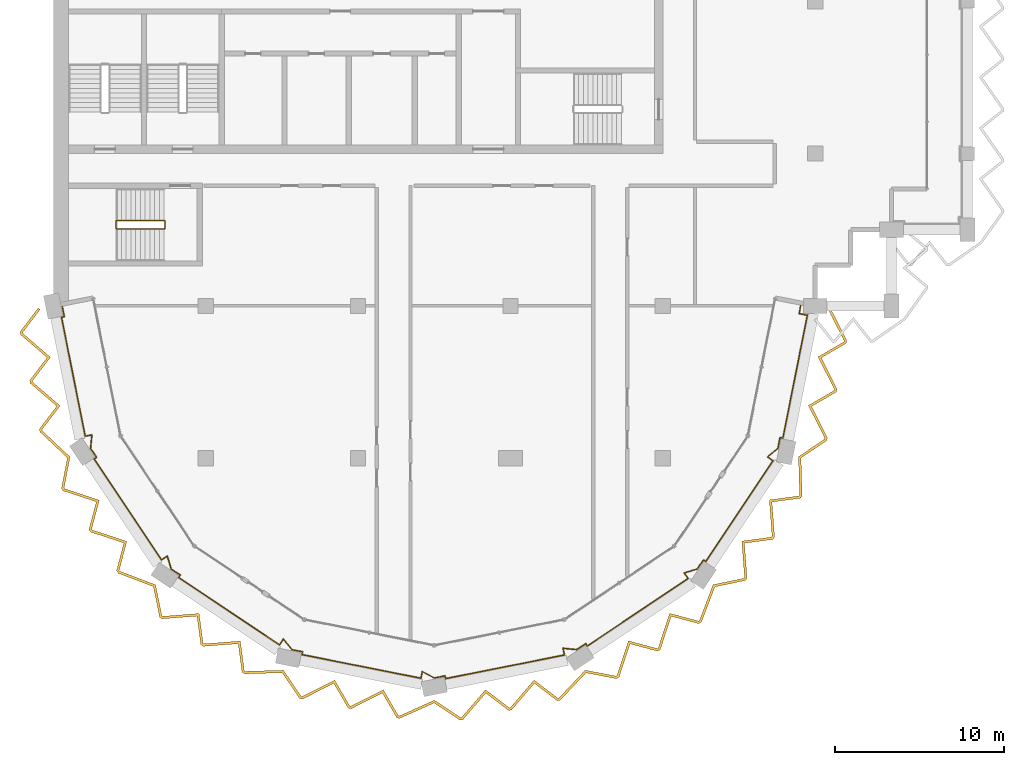
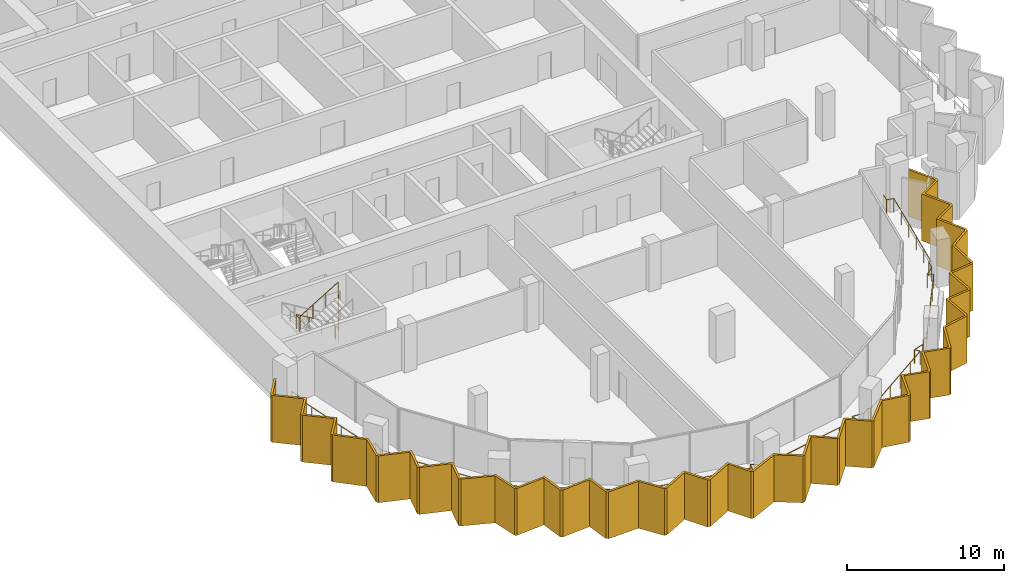
# One storey, part 12 of 14: 2 railings, 1 shading device.
"""IFC4 building model written with IfcOpenShell, lengths in metres."""

from ifc_helpers import new_model, si_unit, direction, frame, origin, origin_2d, place, context, subcontext, project, spatial, polyline, circle, outline, extrude, material, layer, layer_set, type_object, element, save


model = new_model("IFC4")

# Units and contexts
model_context = context("Model", 3, precision=1e-05, world=origin(), true_north=direction((0.0, 1.0)))
body_context = subcontext(model_context, "Body", "Model", "MODEL_VIEW")
ifc_project = project(units=[si_unit("LENGTHUNIT", "METRE"), si_unit("AREAUNIT", "SQUARE_METRE"), si_unit("VOLUMEUNIT", "CUBIC_METRE"), si_unit("PLANEANGLEUNIT", "RADIAN"), si_unit("MASSUNIT", "GRAM", prefix="KILO")], contexts=[model_context])

# Site, building, storey
site_placement = place(None, origin())
site = spatial("IfcSite", under=ifc_project, at=site_placement, CompositionType="ELEMENT")
building_placement = place(site_placement, origin())
building = spatial("IfcBuilding", under=site, at=building_placement, Name="Hunhe Ridgeline Campus", CompositionType="ELEMENT")
storey_placement = place(building_placement, frame((0.0, 0.0, 295.60009765625)))
storey = spatial("IfcBuildingStorey", under=building, at=storey_placement, Name="L76", CompositionType="ELEMENT", Elevation=295.60009765625)

# Railing
ifc_material_1 = material(Name="Steel Q355", Category="steel")
railing_type_1 = type_object("IfcRailingType", Name="Loggia guard 1100 Steel Q355", PredefinedType="GUARDRAIL", material=ifc_material_1)
railing_1_placement = place(storey_placement, frame((0.510009765625, 54.1015625, 0.0)))
element("IfcRailing", 1, at=railing_1_placement, inside=storey, type_object=railing_type_1, Name="Loggia guard 1", PredefinedType="GUARDRAIL", context=body_context, shape_type="SweptSolid", body=[
    extrude(circle(Radius=0.02392578125, at=origin_2d()), frame((0.0, 0.0, 1.076171875), z_axis=(0.194989189992, -0.980805391393, 0.0), x_axis=(0.980805391393, 0.194989189992, 0.0)), (0.0, 0.0, 1.0), 0.75),
    extrude(circle(Radius=0.02392578125, at=origin_2d()), frame((0.146240234375, -0.735595703125, 1.076171875), z_axis=(-0.980746010965, -0.195287639079, 0.0), x_axis=(0.195287639079, -0.980746010965, 0.0)), (0.0, 0.0, 1.0), 0.169921875),
    extrude(circle(Radius=0.02392578125, at=origin_2d()), frame((-0.0205078125, -0.768798828125, 1.076171875), z_axis=(0.195099694312, -0.980783416091, 0.0), x_axis=(0.980783416091, 0.195099694312, 0.0)), (0.0, 0.0, 1.0), 7.160400390625),
    extrude(circle(Radius=0.02392578125, at=origin_2d()), frame((1.37646484375, -7.79150390625, 1.076171875), z_axis=(0.980720044729, 0.195417997808, 0.0), x_axis=(-0.195417997808, 0.980720044729, 0.0)), (0.0, 0.0, 1.0), 0.403564453125),
    extrude(circle(Radius=0.02392578125, at=origin_2d()), frame((1.772216796875, -7.712646484375, 1.076171875), z_axis=(-0.09944331471, -0.995043228789, 0.0), x_axis=(0.995043228789, -0.09944331471, 0.0)), (0.0, 0.0, 1.0), 0.80029296875),
    extrude(circle(Radius=0.02392578125, at=origin_2d()), frame((1.692626953125, -8.509033203125, 1.076171875), z_axis=(0.555484244868, -0.831527061318, 0.0), x_axis=(0.831527061318, 0.555484244868, 0.0)), (0.0, 0.0, 1.0), 0.646484375),
    extrude(circle(Radius=0.02392578125, at=origin_2d()), frame((2.0517578125, -9.046630859375, 1.076171875), z_axis=(-0.831386976724, -0.555693885997, 0.0), x_axis=(0.555693885997, -0.831386976724, 0.0)), (0.0, 0.0, 1.0), 0.169921875),
    extrude(circle(Radius=0.02392578125, at=origin_2d()), frame((1.910400390625, -9.14111328125, 1.076171875), z_axis=(0.555581168767, -0.831462305166, 0.0), x_axis=(0.831462305166, 0.555581168767, 0.0)), (0.0, 0.0, 1.0), 7.16015625),
    extrude(circle(Radius=0.02392578125, at=origin_2d()), frame((5.888427734375, -15.094482421875, 1.076171875), z_axis=(0.831491262241, 0.555537830231, 0.0), x_axis=(-0.555537830231, 0.831491262241, 0.0)), (0.0, 0.0, 1.0), 0.4033203125),
    extrude(circle(Radius=0.02392578125, at=origin_2d()), frame((6.223876953125, -14.870361328125, 1.076171875), z_axis=(0.288914906809, -0.957354780958, 0.0), x_axis=(0.957354780958, 0.288914906809, 0.0)), (0.0, 0.0, 1.0), 0.80029296875),
    extrude(circle(Radius=0.02392578125, at=origin_2d()), frame((6.455078125, -15.636474609375, 1.076171875), z_axis=(0.831352632543, -0.555745265714, 0.0), x_axis=(0.555745265714, 0.831352632543, 0.0)), (0.0, 0.0, 1.0), 0.646728515625),
    extrude(circle(Radius=0.02392578125, at=origin_2d()), frame((6.99267578125, -15.995849609375, 1.076171875), z_axis=(-0.555693885997, -0.831386976724, 0.0), x_axis=(0.831386976724, -0.555693885997, 0.0)), (0.0, 0.0, 1.0), 0.169921875),
    extrude(circle(Radius=0.02392578125, at=origin_2d()), frame((6.898193359375, -16.13720703125, 1.076171875), z_axis=(0.831478056194, -0.555557595635, 0.0), x_axis=(0.555557595635, 0.831478056194, 0.0)), (0.0, 0.0, 1.0), 7.159912109375),
    extrude(circle(Radius=0.02392578125, at=origin_2d()), frame((12.8515625, -20.114990234375, 1.076171875), z_axis=(0.555956014138, 0.831211712107, 0.0), x_axis=(-0.831211712107, 0.555956014138, 0.0)), (0.0, 0.0, 1.0), 0.403564453125),
    extrude(circle(Radius=0.02392578125, at=origin_2d()), frame((13.075927734375, -19.779541015625, 1.076171875), z_axis=(0.633104861372, -0.774066040146, 0.0), x_axis=(0.774066040146, 0.633104861372, 0.0)), (0.0, 0.0, 1.0), 0.800048828125),
    extrude(circle(Radius=0.02392578125, at=origin_2d()), frame((13.58251953125, -20.39892578125, 1.076171875), z_axis=(0.980754587978, -0.195244559871, 0.0), x_axis=(0.195244559871, 0.980754587978, 0.0)), (0.0, 0.0, 1.0), 0.646484375),
    extrude(circle(Radius=0.02392578125, at=origin_2d()), frame((14.216552734375, -20.525146484375, 1.076171875), z_axis=(-0.193905883508, -0.981020136562, 0.0), x_axis=(0.981020136562, -0.193905883508, 0.0)), (0.0, 0.0, 1.0), 0.169921875),
    extrude(circle(Radius=0.02392578125, at=origin_2d()), frame((14.18359375, -20.69189453125, 1.076171875), z_axis=(0.980782118184, -0.195106218893, 0.0), x_axis=(0.195106218893, 0.980782118184, 0.0)), (0.0, 0.0, 1.0), 7.16015625),
    extrude(circle(Radius=0.02392578125, at=origin_2d()), frame((21.2060546875, -22.0888671875, 1.076171875), z_axis=(0.194720424654, 0.980858785057, 0.0), x_axis=(-0.980858785057, 0.194720424654, 0.0)), (0.0, 0.0, 1.0), 0.40380859375),
    extrude(circle(Radius=0.02392578125, at=origin_2d()), frame((21.28466796875, -21.69287109375, 1.076171875), z_axis=(0.881185062436, -0.472771494211, 0.0), x_axis=(0.472771494211, 0.881185062436, 0.0)), (0.0, 0.0, 1.0), 0.800537109375),
    extrude(circle(Radius=0.02392578125, at=origin_2d()), frame((21.989990234375, -22.0712890625, 1.076171875), z_axis=(0.980826840908, 0.194881266811, 0.0), x_axis=(-0.194881266811, 0.980826840908, 0.0)), (0.0, 0.0, 1.0), 0.646484375),
    extrude(circle(Radius=0.02392578125, at=origin_2d()), frame((22.6240234375, -21.9453125, 1.076171875), z_axis=(0.195287639079, -0.980746010965, 0.0), x_axis=(0.980746010965, 0.195287639079, 0.0)), (0.0, 0.0, 1.0), 0.169921875),
    extrude(circle(Radius=0.02392578125, at=origin_2d()), frame((22.6572265625, -22.112060546875, 1.076171875), z_axis=(0.980783416091, 0.195099694312, 0.0), x_axis=(-0.195099694312, 0.980783416091, 0.0)), (0.0, 0.0, 1.0), 7.160400390625),
    extrude(circle(Radius=0.02392578125, at=origin_2d()), frame((29.679931640625, -20.715087890625, 1.076171875), z_axis=(-0.195417997808, 0.980720044729, 0.0), x_axis=(-0.980720044729, -0.195417997808, 0.0)), (0.0, 0.0, 1.0), 0.403564453125),
    extrude(circle(Radius=0.02392578125, at=origin_2d()), frame((29.60107421875, -20.3193359375, 1.076171875), z_axis=(0.995043228789, -0.09944331471, 0.0), x_axis=(0.09944331471, 0.995043228789, 0.0)), (0.0, 0.0, 1.0), 0.80029296875),
    extrude(circle(Radius=0.02392578125, at=origin_2d()), frame((30.3974609375, -20.39892578125, 1.076171875), z_axis=(0.831527061318, 0.555484244868, 0.0), x_axis=(-0.555484244868, 0.831527061318, 0.0)), (0.0, 0.0, 1.0), 0.646484375),
    extrude(circle(Radius=0.02392578125, at=origin_2d()), frame((30.93505859375, -20.039794921875, 1.076171875), z_axis=(0.555693885997, -0.831386976724, 0.0), x_axis=(0.831386976724, 0.555693885997, 0.0)), (0.0, 0.0, 1.0), 0.169921875),
    extrude(circle(Radius=0.02392578125, at=origin_2d()), frame((31.029541015625, -20.18115234375, 1.076171875), z_axis=(0.831462305166, 0.555581168767, 0.0), x_axis=(-0.555581168767, 0.831462305166, 0.0)), (0.0, 0.0, 1.0), 7.16015625),
    extrude(circle(Radius=0.02392578125, at=origin_2d()), frame((36.98291015625, -16.203125, 1.076171875), z_axis=(-0.555537830231, 0.831491262241, 0.0), x_axis=(-0.831491262241, -0.555537830231, 0.0)), (0.0, 0.0, 1.0), 0.4033203125),
    extrude(circle(Radius=0.02392578125, at=origin_2d()), frame((36.7587890625, -15.86767578125, 1.076171875), z_axis=(0.957354780958, 0.288914906809, 0.0), x_axis=(-0.288914906809, 0.957354780958, 0.0)), (0.0, 0.0, 1.0), 0.80029296875),
    extrude(circle(Radius=0.02392578125, at=origin_2d()), frame((37.52490234375, -15.636474609375, 1.076171875), z_axis=(0.555745265714, 0.831352632543, 0.0), x_axis=(-0.831352632543, 0.555745265714, 0.0)), (0.0, 0.0, 1.0), 0.646728515625),
    extrude(circle(Radius=0.02392578125, at=origin_2d()), frame((37.88427734375, -15.098876953125, 1.076171875), z_axis=(0.831386976724, -0.555693885997, 0.0), x_axis=(0.555693885997, 0.831386976724, 0.0)), (0.0, 0.0, 1.0), 0.169921875),
    extrude(circle(Radius=0.02392578125, at=origin_2d()), frame((38.025634765625, -15.193359375, 1.076171875), z_axis=(0.555557595635, 0.831478056194, 0.0), x_axis=(-0.831478056194, 0.555557595635, 0.0)), (0.0, 0.0, 1.0), 7.159912109375),
    extrude(circle(Radius=0.02392578125, at=origin_2d()), frame((42.00341796875, -9.239990234375, 1.076171875), z_axis=(-0.831211712107, 0.555956014138, 0.0), x_axis=(-0.555956014138, -0.831211712107, 0.0)), (0.0, 0.0, 1.0), 0.403564453125),
    extrude(circle(Radius=0.02392578125, at=origin_2d()), frame((41.66796875, -9.015625, 1.076171875), z_axis=(0.774066040146, 0.633104861372, 0.0), x_axis=(-0.633104861372, 0.774066040146, 0.0)), (0.0, 0.0, 1.0), 0.800048828125),
    extrude(circle(Radius=0.02392578125, at=origin_2d()), frame((42.287353515625, -8.509033203125, 1.076171875), z_axis=(0.195244559871, 0.980754587978, 0.0), x_axis=(-0.980754587978, 0.195244559871, 0.0)), (0.0, 0.0, 1.0), 0.646484375),
    extrude(circle(Radius=0.02392578125, at=origin_2d()), frame((42.41357421875, -7.875, 1.076171875), z_axis=(0.981020136562, -0.193905883508, 0.0), x_axis=(0.193905883508, 0.981020136562, 0.0)), (0.0, 0.0, 1.0), 0.169921875),
    extrude(circle(Radius=0.02392578125, at=origin_2d()), frame((42.580322265625, -7.907958984375, 1.076171875), z_axis=(0.195088338544, 0.980785674938, 0.0), x_axis=(-0.980785674938, 0.195088338544, 0.0)), (0.0, 0.0, 1.0), 7.40087890625),
    extrude(circle(Radius=0.02392578125, at=origin_2d()), frame((44.024169921875, -0.649169921875, 1.076171875), z_axis=(-0.980789056368, 0.195071337999, 0.0), x_axis=(-0.195071337999, -0.980789056368, 0.0)), (0.0, 0.0, 1.0), 0.494384765625),
    extrude(circle(Radius=0.02392578125, at=origin_2d()), frame((43.539306640625, -0.552734375, 1.076171875), z_axis=(0.195144205131, 0.980774560847, 0.0), x_axis=(-0.980774560847, 0.195144205131, 0.0)), (0.0, 0.0, 1.0), 0.6279296875),
    extrude(circle(Radius=0.02099609375, at=origin_2d()), origin(), (0.0, 0.0, 1.0), 1.052001953125),
    extrude(circle(Radius=0.02099609375, at=origin_2d()), frame((0.146240234375, -0.735595703125, 0.0)), (0.0, 0.0, 1.0), 1.052001953125),
    extrude(circle(Radius=0.02099609375, at=origin_2d()), frame((-0.0205078125, -0.768798828125, 0.0)), (0.0, 0.0, 1.0), 1.052001953125),
    extrude(circle(Radius=0.02099609375, at=origin_2d()), frame((0.2587890625, -2.17333984375, 0.0)), (0.0, 0.0, 1.0), 1.052001953125),
    extrude(circle(Radius=0.02099609375, at=origin_2d()), frame((0.538330078125, -3.577880859375, 0.0)), (0.0, 0.0, 1.0), 1.052001953125),
    extrude(circle(Radius=0.02099609375, at=origin_2d()), frame((0.817626953125, -4.982421875, 0.0)), (0.0, 0.0, 1.0), 1.052001953125),
    extrude(circle(Radius=0.02099609375, at=origin_2d()), frame((1.09716796875, -6.386962890625, 0.0)), (0.0, 0.0, 1.0), 1.052001953125),
    extrude(circle(Radius=0.02099609375, at=origin_2d()), frame((1.37646484375, -7.79150390625, 0.0)), (0.0, 0.0, 1.0), 1.052001953125),
    extrude(circle(Radius=0.02099609375, at=origin_2d()), frame((1.772216796875, -7.712646484375, 0.0)), (0.0, 0.0, 1.0), 1.052001953125),
    extrude(circle(Radius=0.02099609375, at=origin_2d()), frame((1.692626953125, -8.509033203125, 0.0)), (0.0, 0.0, 1.0), 1.052001953125),
    extrude(circle(Radius=0.02099609375, at=origin_2d()), frame((2.0517578125, -9.046630859375, 0.0)), (0.0, 0.0, 1.0), 1.052001953125),
    extrude(circle(Radius=0.02099609375, at=origin_2d()), frame((1.910400390625, -9.14111328125, 0.0)), (0.0, 0.0, 1.0), 1.052001953125),
    extrude(circle(Radius=0.02099609375, at=origin_2d()), frame((2.7060546875, -10.331787109375, 0.0)), (0.0, 0.0, 1.0), 1.052001953125),
    extrude(circle(Radius=0.02099609375, at=origin_2d()), frame((3.501708984375, -11.5224609375, 0.0)), (0.0, 0.0, 1.0), 1.052001953125),
    extrude(circle(Radius=0.02099609375, at=origin_2d()), frame((4.297119140625, -12.713134765625, 0.0)), (0.0, 0.0, 1.0), 1.052001953125),
    extrude(circle(Radius=0.02099609375, at=origin_2d()), frame((5.0927734375, -13.90380859375, 0.0)), (0.0, 0.0, 1.0), 1.052001953125),
    extrude(circle(Radius=0.02099609375, at=origin_2d()), frame((5.888427734375, -15.094482421875, 0.0)), (0.0, 0.0, 1.0), 1.052001953125),
    extrude(circle(Radius=0.02099609375, at=origin_2d()), frame((6.223876953125, -14.870361328125, 0.0)), (0.0, 0.0, 1.0), 1.052001953125),
    extrude(circle(Radius=0.02099609375, at=origin_2d()), frame((6.455078125, -15.636474609375, 0.0)), (0.0, 0.0, 1.0), 1.052001953125),
    extrude(circle(Radius=0.02099609375, at=origin_2d()), frame((6.99267578125, -15.995849609375, 0.0)), (0.0, 0.0, 1.0), 1.052001953125),
    extrude(circle(Radius=0.02099609375, at=origin_2d()), frame((6.898193359375, -16.13720703125, 0.0)), (0.0, 0.0, 1.0), 1.052001953125),
    extrude(circle(Radius=0.02099609375, at=origin_2d()), frame((8.0888671875, -16.932861328125, 0.0)), (0.0, 0.0, 1.0), 1.052001953125),
    extrude(circle(Radius=0.02099609375, at=origin_2d()), frame((9.279541015625, -17.728271484375, 0.0)), (0.0, 0.0, 1.0), 1.052001953125),
    extrude(circle(Radius=0.02099609375, at=origin_2d()), frame((10.47021484375, -18.52392578125, 0.0)), (0.0, 0.0, 1.0), 1.052001953125),
    extrude(circle(Radius=0.02099609375, at=origin_2d()), frame((11.660888671875, -19.3193359375, 0.0)), (0.0, 0.0, 1.0), 1.052001953125),
    extrude(circle(Radius=0.02099609375, at=origin_2d()), frame((12.8515625, -20.114990234375, 0.0)), (0.0, 0.0, 1.0), 1.052001953125),
    extrude(circle(Radius=0.02099609375, at=origin_2d()), frame((13.075927734375, -19.779541015625, 0.0)), (0.0, 0.0, 1.0), 1.052001953125),
    extrude(circle(Radius=0.02099609375, at=origin_2d()), frame((13.58251953125, -20.39892578125, 0.0)), (0.0, 0.0, 1.0), 1.052001953125),
    extrude(circle(Radius=0.02099609375, at=origin_2d()), frame((14.216552734375, -20.525146484375, 0.0)), (0.0, 0.0, 1.0), 1.052001953125),
    extrude(circle(Radius=0.02099609375, at=origin_2d()), frame((14.18359375, -20.69189453125, 0.0)), (0.0, 0.0, 1.0), 1.052001953125),
    extrude(circle(Radius=0.02099609375, at=origin_2d()), frame((15.588134765625, -20.97119140625, 0.0)), (0.0, 0.0, 1.0), 1.052001953125),
    extrude(circle(Radius=0.02099609375, at=origin_2d()), frame((16.99267578125, -21.250732421875, 0.0)), (0.0, 0.0, 1.0), 1.052001953125),
    extrude(circle(Radius=0.02099609375, at=origin_2d()), frame((18.39697265625, -21.530029296875, 0.0)), (0.0, 0.0, 1.0), 1.052001953125),
    extrude(circle(Radius=0.02099609375, at=origin_2d()), frame((19.801513671875, -21.8095703125, 0.0)), (0.0, 0.0, 1.0), 1.052001953125),
    extrude(circle(Radius=0.02099609375, at=origin_2d()), frame((21.2060546875, -22.0888671875, 0.0)), (0.0, 0.0, 1.0), 1.052001953125),
    extrude(circle(Radius=0.02099609375, at=origin_2d()), frame((21.28466796875, -21.69287109375, 0.0)), (0.0, 0.0, 1.0), 1.052001953125),
    extrude(circle(Radius=0.02099609375, at=origin_2d()), frame((21.989990234375, -22.0712890625, 0.0)), (0.0, 0.0, 1.0), 1.052001953125),
    extrude(circle(Radius=0.02099609375, at=origin_2d()), frame((22.6240234375, -21.9453125, 0.0)), (0.0, 0.0, 1.0), 1.052001953125),
    extrude(circle(Radius=0.02099609375, at=origin_2d()), frame((22.6572265625, -22.112060546875, 0.0)), (0.0, 0.0, 1.0), 1.052001953125),
    extrude(circle(Radius=0.02099609375, at=origin_2d()), frame((24.061767578125, -21.832763671875, 0.0)), (0.0, 0.0, 1.0), 1.052001953125),
    extrude(circle(Radius=0.02099609375, at=origin_2d()), frame((25.46630859375, -21.55322265625, 0.0)), (0.0, 0.0, 1.0), 1.052001953125),
    extrude(circle(Radius=0.02099609375, at=origin_2d()), frame((26.870849609375, -21.27392578125, 0.0)), (0.0, 0.0, 1.0), 1.052001953125),
    extrude(circle(Radius=0.02099609375, at=origin_2d()), frame((28.275390625, -20.994384765625, 0.0)), (0.0, 0.0, 1.0), 1.052001953125),
    extrude(circle(Radius=0.02099609375, at=origin_2d()), frame((29.679931640625, -20.715087890625, 0.0)), (0.0, 0.0, 1.0), 1.052001953125),
    extrude(circle(Radius=0.02099609375, at=origin_2d()), frame((29.60107421875, -20.3193359375, 0.0)), (0.0, 0.0, 1.0), 1.052001953125),
    extrude(circle(Radius=0.02099609375, at=origin_2d()), frame((30.3974609375, -20.39892578125, 0.0)), (0.0, 0.0, 1.0), 1.052001953125),
    extrude(circle(Radius=0.02099609375, at=origin_2d()), frame((30.93505859375, -20.039794921875, 0.0)), (0.0, 0.0, 1.0), 1.052001953125),
    extrude(circle(Radius=0.02099609375, at=origin_2d()), frame((31.029541015625, -20.18115234375, 0.0)), (0.0, 0.0, 1.0), 1.052001953125),
    extrude(circle(Radius=0.02099609375, at=origin_2d()), frame((32.22021484375, -19.385498046875, 0.0)), (0.0, 0.0, 1.0), 1.052001953125),
    extrude(circle(Radius=0.02099609375, at=origin_2d()), frame((33.410888671875, -18.58984375, 0.0)), (0.0, 0.0, 1.0), 1.052001953125),
    extrude(circle(Radius=0.02099609375, at=origin_2d()), frame((34.6015625, -17.79443359375, 0.0)), (0.0, 0.0, 1.0), 1.052001953125),
    extrude(circle(Radius=0.02099609375, at=origin_2d()), frame((35.792236328125, -16.998779296875, 0.0)), (0.0, 0.0, 1.0), 1.052001953125),
    extrude(circle(Radius=0.02099609375, at=origin_2d()), frame((36.98291015625, -16.203125, 0.0)), (0.0, 0.0, 1.0), 1.052001953125),
    extrude(circle(Radius=0.02099609375, at=origin_2d()), frame((36.7587890625, -15.86767578125, 0.0)), (0.0, 0.0, 1.0), 1.052001953125),
    extrude(circle(Radius=0.02099609375, at=origin_2d()), frame((37.52490234375, -15.636474609375, 0.0)), (0.0, 0.0, 1.0), 1.052001953125),
    extrude(circle(Radius=0.02099609375, at=origin_2d()), frame((37.88427734375, -15.098876953125, 0.0)), (0.0, 0.0, 1.0), 1.052001953125),
    extrude(circle(Radius=0.02099609375, at=origin_2d()), frame((38.025634765625, -15.193359375, 0.0)), (0.0, 0.0, 1.0), 1.052001953125),
    extrude(circle(Radius=0.02099609375, at=origin_2d()), frame((38.8212890625, -14.002685546875, 0.0)), (0.0, 0.0, 1.0), 1.052001953125),
    extrude(circle(Radius=0.02099609375, at=origin_2d()), frame((39.61669921875, -12.81201171875, 0.0)), (0.0, 0.0, 1.0), 1.052001953125),
    extrude(circle(Radius=0.02099609375, at=origin_2d()), frame((40.412353515625, -11.621337890625, 0.0)), (0.0, 0.0, 1.0), 1.052001953125),
    extrude(circle(Radius=0.02099609375, at=origin_2d()), frame((41.207763671875, -10.4306640625, 0.0)), (0.0, 0.0, 1.0), 1.052001953125),
    extrude(circle(Radius=0.02099609375, at=origin_2d()), frame((42.00341796875, -9.239990234375, 0.0)), (0.0, 0.0, 1.0), 1.052001953125),
    extrude(circle(Radius=0.02099609375, at=origin_2d()), frame((41.66796875, -9.015625, 0.0)), (0.0, 0.0, 1.0), 1.052001953125),
    extrude(circle(Radius=0.02099609375, at=origin_2d()), frame((42.287353515625, -8.509033203125, 0.0)), (0.0, 0.0, 1.0), 1.052001953125),
    extrude(circle(Radius=0.02099609375, at=origin_2d()), frame((42.41357421875, -7.875, 0.0)), (0.0, 0.0, 1.0), 1.052001953125),
    extrude(circle(Radius=0.02099609375, at=origin_2d()), frame((42.580322265625, -7.907958984375, 0.0)), (0.0, 0.0, 1.0), 1.052001953125),
    extrude(circle(Radius=0.02099609375, at=origin_2d()), frame((42.869140625, -6.456298828125, 0.0)), (0.0, 0.0, 1.0), 1.052001953125),
    extrude(circle(Radius=0.02099609375, at=origin_2d()), frame((43.157958984375, -5.00439453125, 0.0)), (0.0, 0.0, 1.0), 1.052001953125),
    extrude(circle(Radius=0.02099609375, at=origin_2d()), frame((43.446533203125, -3.552734375, 0.0)), (0.0, 0.0, 1.0), 1.052001953125),
    extrude(circle(Radius=0.02099609375, at=origin_2d()), frame((43.7353515625, -2.100830078125, 0.0)), (0.0, 0.0, 1.0), 1.052001953125),
    extrude(circle(Radius=0.02099609375, at=origin_2d()), frame((44.024169921875, -0.649169921875, 0.0)), (0.0, 0.0, 1.0), 1.052001953125),
    extrude(circle(Radius=0.02099609375, at=origin_2d()), frame((43.539306640625, -0.552734375, 0.0)), (0.0, 0.0, 1.0), 1.052001953125),
    extrude(circle(Radius=0.02099609375, at=origin_2d()), frame((43.661865234375, 0.063232421875, 0.0)), (0.0, 0.0, 1.0), 1.052001953125),
])

# Shading device
ifc_material_2 = material(Name="Concrete C50", Category="concrete")
ifc_layer = layer(ifc_material_2, 0.14990234375)
ifc_layer_set = layer_set([ifc_layer], Name="Sawtooth concrete fin 150 Concrete C50")
shading_device_type = type_object("IfcShadingDeviceType", Name="Sawtooth concrete fin 150 Concrete C50", PredefinedType="USERDEFINED", material=ifc_layer_set)
shading_device_placement = place(storey_placement, frame((0.0, 0.0, -0.9501953125)))
element("IfcShadingDevice", 2, at=shading_device_placement, inside=storey, type_object=shading_device_type, Name="Concrete fin screen 1", ObjectType="FIN", PredefinedType="USERDEFINED", context=body_context, shape_type="SweptSolid", body=[
    extrude(outline(polyline([(-0.7734375, 53.788818359375), (-0.892578125, 53.8798828125), (-1.96435546875, 52.47412109375), (-1.929443359375, 52.2978515625), (-0.36474609375, 50.953369140625), (-1.3935546875, 49.60400390625), (-1.3583984375, 49.427734375), (0.206298828125, 48.083251953125), (-0.822509765625, 46.73388671875), (-0.787841796875, 46.5595703125), (0.831298828125, 45.031982421875), (0.4833984375, 43.2255859375), (0.58154296875, 43.078857421875), (2.541748046875, 42.435302734375), (2.107421875, 40.794921875), (2.207275390625, 40.6455078125), (4.16748046875, 40.002197265625), (3.7333984375, 38.36181640625), (3.83203125, 38.214111328125), (5.91259765625, 37.42236328125), (6.282470703125, 35.620361328125), (6.429443359375, 35.522216796875), (8.486572265625, 35.677978515625), (8.713134765625, 33.996337890625), (8.862548828125, 33.896484375), (10.919677734375, 34.05224609375), (11.146240234375, 32.37060546875), (11.294189453125, 32.271728515625), (13.519287109375, 32.33642578125), (14.550537109375, 30.813232421875), (14.723876953125, 30.77880859375), (16.564697265625, 31.7099609375), (17.417724609375, 30.242919921875), (17.593994140625, 30.2080078125), (19.434814453125, 31.138916015625), (20.287841796875, 29.672119140625), (20.462158203125, 29.637451171875), (22.4931640625, 30.548828125), (24.02880859375, 29.5361328125), (24.2021484375, 29.570556640625), (25.546630859375, 31.13525390625), (26.89599609375, 30.1064453125), (27.072265625, 30.1416015625), (28.416748046875, 31.706298828125), (29.76611328125, 30.677490234375), (29.9404296875, 30.712158203125), (31.468017578125, 32.331298828125), (33.2744140625, 31.9833984375), (33.421142578125, 32.08154296875), (34.064697265625, 34.041748046875), (35.705078125, 33.607421875), (35.8544921875, 33.707275390625), (36.497802734375, 35.66748046875), (38.13818359375, 35.2333984375), (38.285888671875, 35.33203125), (39.07763671875, 37.41259765625), (40.879638671875, 37.782470703125), (40.977783203125, 37.929443359375), (40.822021484375, 39.986572265625), (42.503662109375, 40.213134765625), (42.603515625, 40.362548828125), (42.44775390625, 42.419677734375), (44.12939453125, 42.646240234375), (44.228271484375, 42.794189453125), (44.16357421875, 45.019287109375), (45.686767578125, 46.050537109375), (45.72119140625, 46.223876953125), (44.7900390625, 48.064697265625), (46.257080078125, 48.917724609375), (46.2919921875, 49.093994140625), (45.361083984375, 50.934814453125), (46.827880859375, 51.787841796875), (46.863037109375, 51.964111328125), (45.89990234375, 53.8681640625), (45.76611328125, 53.800537109375), (46.705810546875, 51.942626953125), (46.694091796875, 51.883544921875), (45.163330078125, 50.993408203125), (46.134765625, 49.072509765625), (46.123046875, 49.013427734375), (44.59228515625, 48.123291015625), (45.56396484375, 46.202392578125), (45.551513671875, 46.14013671875), (44.01123046875, 45.09716796875), (44.076904296875, 42.837646484375), (44.042236328125, 42.785888671875), (42.28759765625, 42.549560546875), (42.449951171875, 40.40283203125), (42.41650390625, 40.352783203125), (40.661865234375, 40.1162109375), (40.82421875, 37.9697265625), (40.7890625, 37.9169921875), (38.966796875, 37.54296875), (38.162841796875, 35.43017578125), (38.111083984375, 35.395751953125), (36.3994140625, 35.8486328125), (35.72802734375, 33.803466796875), (35.677978515625, 33.769775390625), (33.96630859375, 34.222900390625), (33.294921875, 32.177490234375), (33.2421875, 32.142333984375), (31.41552734375, 32.494140625), (29.8642578125, 30.849853515625), (29.80322265625, 30.837646484375), (28.395263671875, 31.911376953125), (26.9921875, 30.278564453125), (26.93310546875, 30.266845703125), (25.525146484375, 31.34033203125), (24.1220703125, 29.707763671875), (24.06005859375, 29.6953125), (22.5068359375, 30.71923828125), (20.444580078125, 29.7939453125), (20.383544921875, 29.805908203125), (19.493408203125, 31.336669921875), (17.572509765625, 30.365234375), (17.513427734375, 30.376953125), (16.623291015625, 31.90771484375), (14.702392578125, 30.93603515625), (14.64013671875, 30.948486328125), (13.59716796875, 32.48876953125), (11.337646484375, 32.423095703125), (11.285888671875, 32.457763671875), (11.049560546875, 34.21240234375), (8.90283203125, 34.050048828125), (8.852783203125, 34.08349609375), (8.6162109375, 35.838134765625), (6.4697265625, 35.67578125), (6.4169921875, 35.7109375), (6.04296875, 37.533203125), (3.93017578125, 38.337158203125), (3.895751953125, 38.388916015625), (4.3486328125, 40.1005859375), (2.303466796875, 40.77197265625), (2.269775390625, 40.822021484375), (2.722900390625, 42.53369140625), (0.677490234375, 43.205078125), (0.642333984375, 43.2578125), (0.994140625, 45.08447265625), (-0.650146484375, 46.6357421875), (-0.662353515625, 46.69677734375), (0.411376953125, 48.104736328125), (-1.221435546875, 49.5078125), (-1.233154296875, 49.56689453125), (-0.15966796875, 50.974853515625), (-1.792236328125, 52.3779296875), (-1.80419921875, 52.43701171875), (-0.7734375, 53.788818359375)])), origin(), (0.0, 0.0, 1.0), 3.650146484375),
])

# Railing
ifc_material_3 = material(Name="Stainless steel balustrade", Category="steel")
railing_type_2 = type_object("IfcRailingType", Name="Stair guard 1100 stainless", PredefinedType="GUARDRAIL", material=ifc_material_3)
railing_2_placement = place(storey_placement, frame((6.550048828125, 59.050048828125, 0.16796875)))
element("IfcRailing", 3, at=railing_2_placement, inside=storey, type_object=railing_type_2, Name="L76 stair W2 guard", PredefinedType="GUARDRAIL", context=body_context, shape_type="SweptSolid", body=[
    extrude(circle(Radius=0.02392578125, at=origin_2d()), frame((0.0, 0.0, 1.076171875), z_axis=(-0.857242210791, 0.0, 0.514913383045), x_axis=(0.0, -1.0, 0.0)), (0.0, 0.0, 1.0), 3.266357421875),
    extrude(circle(Radius=0.02392578125, at=origin_2d()), frame((-2.800048828125, 0.0, 2.7578125), z_axis=(-0.707106781187, -0.707106781187, 0.0), x_axis=(0.707106781187, -0.707106781187, 0.0)), (0.0, 0.0, 1.0), 0.07080078125),
    extrude(circle(Radius=0.02392578125, at=origin_2d()), frame((-2.85009765625, -0.050048828125, 2.7578125), z_axis=(0.0, -1.0, 0.0), x_axis=(1.0, 0.0, 0.0)), (0.0, 0.0, 1.0), 0.39990234375),
    extrude(circle(Radius=0.02392578125, at=origin_2d()), frame((-2.85009765625, -0.449951171875, 2.7578125), z_axis=(0.274243871929, -0.274243871929, 0.92172696468), x_axis=(0.707106781187, 0.707106781187, 0.0)), (0.0, 0.0, 1.0), 0.1826171875),
    extrude(circle(Radius=0.02392578125, at=origin_2d()), frame((-2.800048828125, -0.5, 2.92626953125), z_axis=(0.857242210791, 0.0, 0.514913383045), x_axis=(0.0, 1.0, 0.0)), (0.0, 0.0, 1.0), 3.266357421875),
    extrude(circle(Radius=0.02392578125, at=origin_2d()), frame((0.0, -0.5, 4.60791015625), z_axis=(0.013524414389, 0.013524414389, -0.999817073484), x_axis=(-0.707106781187, 0.707106781187, 0.0)), (0.0, 0.0, 1.0), 3.70068359375),
    extrude(circle(Radius=0.02392578125, at=origin_2d()), frame((0.050048828125, -0.449951171875, 0.908203125), z_axis=(0.0, 1.0, 0.0), x_axis=(-1.0, 0.0, 0.0)), (0.0, 0.0, 1.0), 0.39990234375),
    extrude(circle(Radius=0.02099609375, at=origin_2d()), origin(), (0.0, 0.0, 1.0), 1.052001953125),
    extrude(circle(Radius=0.02099609375, at=origin_2d()), frame((-0.933349609375, 0.0, 0.560546875)), (0.0, 0.0, 1.0), 1.052001953125),
    extrude(circle(Radius=0.02099609375, at=origin_2d()), frame((-1.86669921875, 0.0, 1.121337890625)), (0.0, 0.0, 1.0), 1.052001953125),
    extrude(circle(Radius=0.02099609375, at=origin_2d()), frame((-2.800048828125, 0.0, 1.681884765625)), (0.0, 0.0, 1.0), 1.052001953125),
    extrude(circle(Radius=0.02099609375, at=origin_2d()), frame((-2.85009765625, -0.050048828125, 1.681884765625)), (0.0, 0.0, 1.0), 1.052001953125),
    extrude(circle(Radius=0.02099609375, at=origin_2d()), frame((-2.85009765625, -0.449951171875, 1.681884765625)), (0.0, 0.0, 1.0), 1.052001953125),
    extrude(circle(Radius=0.02099609375, at=origin_2d()), frame((-2.800048828125, -0.5, 1.85009765625)), (0.0, 0.0, 1.0), 1.052001953125),
    extrude(circle(Radius=0.02099609375, at=origin_2d()), frame((-1.86669921875, -0.5, 2.41064453125)), (0.0, 0.0, 1.0), 1.052001953125),
    extrude(circle(Radius=0.02099609375, at=origin_2d()), frame((-0.933349609375, -0.5, 2.971435546875)), (0.0, 0.0, 1.0), 1.052001953125),
    extrude(circle(Radius=0.02099609375, at=origin_2d()), frame((0.0, -0.5, 3.531982421875)), (0.0, 0.0, 1.0), 1.052001953125),
    extrude(circle(Radius=0.02099609375, at=origin_2d()), frame((0.012451171875, -0.487548828125, 2.60693359375)), (0.0, 0.0, 1.0), 1.052001953125),
    extrude(circle(Radius=0.02099609375, at=origin_2d()), frame((0.02490234375, -0.47509765625, 1.68212890625)), (0.0, 0.0, 1.0), 1.052001953125),
    extrude(circle(Radius=0.02099609375, at=origin_2d()), frame((0.03759765625, -0.46240234375, 0.757080078125)), (0.0, 0.0, 1.0), 1.052001953125),
    extrude(circle(Radius=0.02099609375, at=origin_2d()), frame((0.050048828125, -0.449951171875, -0.16796875)), (0.0, 0.0, 1.0), 1.052001953125),
    extrude(circle(Radius=0.02099609375, at=origin_2d()), frame((0.050048828125, -0.050048828125, -0.16796875)), (0.0, 0.0, 1.0), 1.052001953125),
])

save(model, "model.ifc")
